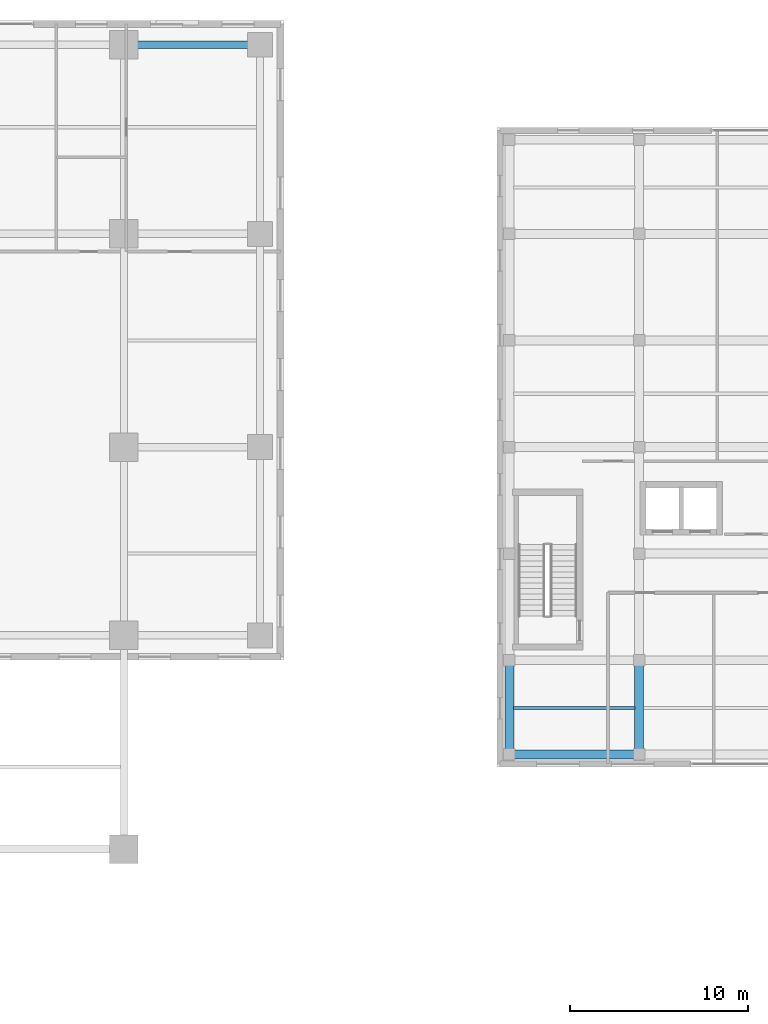
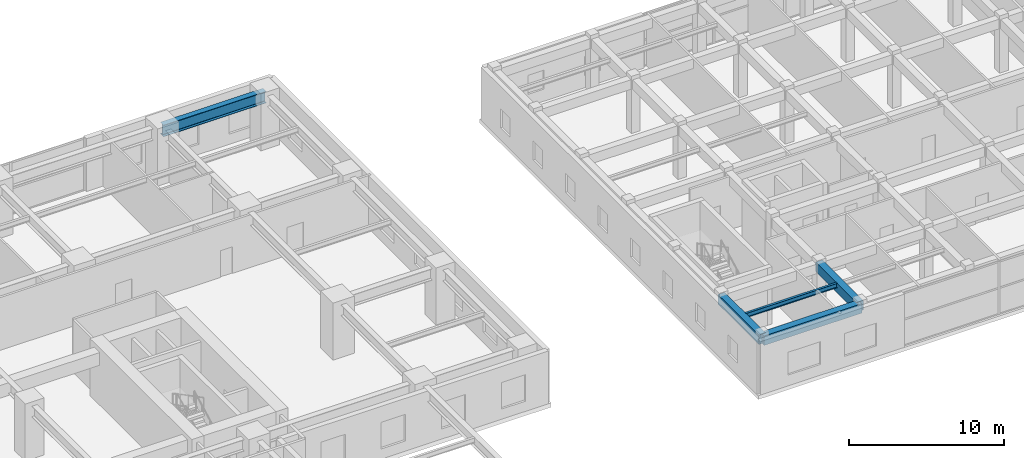
# One storey, part 9 of 26: 5 beams.
"""IFC4 building model written with IfcOpenShell, lengths in metres."""

import ifcopenshell
import ifcopenshell.guid

model = None  # the IFC model being written
_history = None  # IfcOwnerHistory: only IFC2X3 demands one
_inside = {}  # id of a spatial element -> (the spatial element, [elements in it])
_under = {}  # id of a project, library or spatial element -> (it, [spatial elements below it])
_declared = {}  # id of a project -> (the project, [libraries it declares])
_typed = {}  # id of a type object -> (the type object, [elements of that type])
_made_of = {}  # id of a material, layer set ... -> (it, [elements and type objects made of it])


def new_model(schema):
    """Start an empty IFC model of exactly this schema.

    Asked for "IFC4X3", IfcOpenShell would pick the latest addendum, in which some entities
    have other attributes; the version numbers below select the first issue.
    IFC2X3 requires an IfcOwnerHistory on every rooted entity: one is made here for all.
    """
    global model, _history
    if schema == "IFC4X3":
        model = ifcopenshell.file(schema_version=(4, 3, 0, 0))
    else:
        model = ifcopenshell.file(schema=schema)
    _inside.clear()
    _under.clear()
    _declared.clear()
    _typed.clear()
    _made_of.clear()
    _history = None
    if model.schema == "IFC2X3":
        org = make("IfcOrganization", Name="unknown")
        user = make(
            "IfcPersonAndOrganization",
            ThePerson=make("IfcPerson", FamilyName="unknown"),
            TheOrganization=org,
        )
        app = make(
            "IfcApplication",
            ApplicationDeveloper=org,
            Version="unknown",
            ApplicationFullName="unknown",
            ApplicationIdentifier="unknown",
        )
        _history = make(
            "IfcOwnerHistory",
            OwningUser=user,
            OwningApplication=app,
            ChangeAction="ADDED",
            CreationDate=0,
        )
    return model


def make(cls, **values):
    """One entity of the class cls with the attributes given. An attribute that is None is left unset."""
    return model.create_entity(
        cls, **{name: value for name, value in values.items() if value is not None}
    )


def rooted(cls, **values):
    """An entity with a GlobalId (a new one), such as an element, a storey or a relation."""
    return make(cls, GlobalId=ifcopenshell.guid.new(), OwnerHistory=_history, **values)


def si_unit(unit_type, name, prefix=None):
    """IfcSIUnit, for example si_unit("LENGTHUNIT", "METRE", prefix="MILLI")."""
    return make("IfcSIUnit", UnitType=unit_type, Prefix=prefix, Name=name)


def assignment(units):
    """IfcUnitAssignment: the units of a project."""
    return None if units is None else make("IfcUnitAssignment", Units=units)


def point(xyz):
    """IfcCartesianPoint."""
    return None if xyz is None else make("IfcCartesianPoint", Coordinates=xyz)


def direction(xyz):
    """IfcDirection."""
    return None if xyz is None else make("IfcDirection", DirectionRatios=xyz)


def frame(location, z_axis=None, x_axis=None):
    """IfcAxis2Placement3D, a coordinate frame: its origin and axes. An axis left out is left unset."""
    return make(
        "IfcAxis2Placement3D",
        Location=point(location),
        Axis=direction(z_axis),
        RefDirection=direction(x_axis),
    )


def frame_2d(location, x_axis=None):
    """IfcAxis2Placement2D, a coordinate frame in the plane: its origin and x axis."""
    return make(
        "IfcAxis2Placement2D", Location=point(location), RefDirection=direction(x_axis)
    )


def origin():
    """The frame at (0, 0, 0) with its axes left unset."""
    return frame((0.0, 0.0, 0.0))


def origin_2d():
    """The frame at (0, 0) in the plane with its x axis left unset."""
    return frame_2d((0.0, 0.0))


def place(relative_to, where):
    """IfcLocalPlacement: puts the frame where relative to a parent placement (None: the world)."""
    return make(
        "IfcLocalPlacement", PlacementRelTo=relative_to, RelativePlacement=where
    )


def context(
    kind, dimensions, precision=None, world=None, true_north=None, identifier=None
):
    """IfcGeometricRepresentationContext, for example the 3D "Model" context."""
    return make(
        "IfcGeometricRepresentationContext",
        ContextIdentifier=identifier,
        ContextType=kind,
        CoordinateSpaceDimension=dimensions,
        Precision=precision,
        WorldCoordinateSystem=world,
        TrueNorth=true_north,
    )


def subcontext(parent, identifier, kind, view, scale=None):
    """IfcGeometricRepresentationSubContext, for example "Body" below "Model"."""
    return make(
        "IfcGeometricRepresentationSubContext",
        ContextIdentifier=identifier,
        ContextType=kind,
        ParentContext=parent,
        TargetScale=scale,
        TargetView=view,
    )


def project(units=None, contexts=None):
    """IfcProject with its units and contexts."""
    return rooted(
        "IfcProject",
        Name="project",
        RepresentationContexts=contexts,
        UnitsInContext=assignment(units),
    )


def spatial(cls, under=None, at=None, **own):
    """A site, building, storey or space (cls), placed at a placement, below another one or the project."""
    s = rooted(cls, ObjectPlacement=at, **own)
    if under is not None:
        _under.setdefault(under.id(), (under, []))[1].append(s)
    return s


def profile(cls, at=None, kind="AREA", **sizes):
    """A parametric profile (cls). Its sizes go by their IFC names, for example OverallWidth=200.0."""
    return make(cls, ProfileType=kind, Position=at, **sizes)


def rectangle(**sizes):
    """IfcRectangleProfileDef."""
    return profile("IfcRectangleProfileDef", **sizes)


def i_section(**sizes):
    """IfcIShapeProfileDef."""
    return profile("IfcIShapeProfileDef", **sizes)


def extrude(swept, where, along, depth):
    """IfcExtrudedAreaSolid: the profile swept, set in the frame where, extruded along a direction by depth."""
    return make(
        "IfcExtrudedAreaSolid",
        SweptArea=swept,
        Position=where,
        ExtrudedDirection=direction(along),
        Depth=depth,
    )


def shape(context_of_items, identifier, shape_type, items):
    """IfcShapeRepresentation: the items that make up one representation, for example the "Body"."""
    return make(
        "IfcShapeRepresentation",
        ContextOfItems=context_of_items,
        RepresentationIdentifier=identifier,
        RepresentationType=shape_type,
        Items=items,
    )


def source(mapping_origin, context_of_items, identifier, shape_type, items):
    """IfcRepresentationMap: a shape defined once, which mapped items show again and again."""
    return make(
        "IfcRepresentationMap",
        MappingOrigin=mapping_origin,
        MappedRepresentation=shape(context_of_items, identifier, shape_type, items),
    )


def transform(
    local_origin,
    x_axis=None,
    y_axis=None,
    z_axis=None,
    scale=None,
    scale2=None,
    scale3=None,
    uniform=True,
):
    """IfcCartesianTransformationOperator3D, or its non-uniform kind. x_axis, y_axis, z_axis: its Axis1, 2, 3."""
    if uniform:
        return make(
            "IfcCartesianTransformationOperator3D",
            Axis1=direction(x_axis),
            Axis2=direction(y_axis),
            LocalOrigin=point(local_origin),
            Scale=scale,
            Axis3=direction(z_axis),
        )
    return make(
        "IfcCartesianTransformationOperator3DnonUniform",
        Axis1=direction(x_axis),
        Axis2=direction(y_axis),
        LocalOrigin=point(local_origin),
        Scale=scale,
        Axis3=direction(z_axis),
        Scale2=scale2,
        Scale3=scale3,
    )


def mapped(mapping_source, mapping_target):
    """IfcMappedItem: shows the shape of a source again, moved by a transform."""
    return make(
        "IfcMappedItem", MappingSource=mapping_source, MappingTarget=mapping_target
    )


def material(Name=None, Category=None):
    """IfcMaterial."""
    return make("IfcMaterial", Name=Name, Category=Category)


def material_profile(
    of_material, cross_section, Name=None, Category=None, Priority=None
):
    """IfcMaterialProfile: a cross section and its material."""
    return make(
        "IfcMaterialProfile",
        Name=Name,
        Material=of_material,
        Profile=cross_section,
        Priority=Priority,
        Category=Category,
    )


def profile_set(profiles, Name=None, composite=None):
    """IfcMaterialProfileSet."""
    return make(
        "IfcMaterialProfileSet",
        Name=Name,
        MaterialProfiles=profiles,
        CompositeProfile=composite,
    )


def made_of(thing, what):
    """Note that an element or type object is made of a material, layer set ...; save() writes the relation."""
    if what is not None:
        _made_of.setdefault(what.id(), (what, []))[1].append(thing)
    return thing


def type_object(cls, material=None, **own):
    """A type object (cls), such as IfcWallType, which elements share."""
    return made_of(rooted(cls, **own), material)


def element(
    cls,
    number,
    at=None,
    inside=None,
    cuts=None,
    type_object=None,
    material=None,
    context=None,
    identifier="Body",
    shape_type=None,
    held_by="IfcProductDefinitionShape",
    body=None,
    shapes=None,
    **own,
):
    """One element of the class cls, such as IfcWall. Its Tag is "e" and its number.

    at: its placement. inside: the storey or other place that contains it. cuts: it is an
    opening in that element (IfcRelVoidsElement). A single representation is given by context,
    identifier, shape_type and body (its items); several are given by shapes. held_by: the class
    of the entity that holds the representations. save() writes the other relations.
    """
    e = rooted(cls, Tag="e%d" % number, ObjectPlacement=at, **own)
    if body is not None:
        shapes = [shape(context, identifier, shape_type, body)]
    if shapes is not None:
        e.Representation = make(held_by, Representations=shapes)
    if inside is not None:
        _inside.setdefault(inside.id(), (inside, []))[1].append(e)
    if cuts is not None:
        rooted(
            "IfcRelVoidsElement", RelatingBuildingElement=cuts, RelatedOpeningElement=e
        )
    if type_object is not None:
        _typed.setdefault(type_object.id(), (type_object, []))[1].append(e)
    return made_of(e, material)


def aggregate(whole, parts):
    """IfcRelAggregates: a whole, such as a stair, and the parts it consists of."""
    return rooted("IfcRelAggregates", RelatingObject=whole, RelatedObjects=parts)


def save(model, path):
    """Write the relations noted so far, then the file.

    IfcRelAggregates (storeys below a building ...), IfcRelContainedInSpatialStructure (elements
    in a storey), IfcRelDefinesByType, IfcRelAssociatesMaterial and IfcRelDeclares: one each for
    every whole, place, type object, material and project.
    """
    for whole, parts in _under.values():
        aggregate(whole, parts)
    for where, things in _inside.values():
        rooted(
            "IfcRelContainedInSpatialStructure",
            RelatedElements=things,
            RelatingStructure=where,
        )
    for kind, things in _typed.values():
        rooted("IfcRelDefinesByType", RelatedObjects=things, RelatingType=kind)
    for what, things in _made_of.values():
        rooted("IfcRelAssociatesMaterial", RelatedObjects=things, RelatingMaterial=what)
    for by, libraries in _declared.values():
        rooted("IfcRelDeclares", RelatingContext=by, RelatedDefinitions=libraries)
    model.write(path)


model = new_model("IFC4")

# Units and contexts
model_context = context("Model", 3, precision=1e-05, world=origin(), true_north=direction((0.0, 1.0)))
body_context = subcontext(model_context, "Body", "Model", "MODEL_VIEW")
ifc_project = project(units=[si_unit("LENGTHUNIT", "METRE"), si_unit("AREAUNIT", "SQUARE_METRE"), si_unit("VOLUMEUNIT", "CUBIC_METRE"), si_unit("PLANEANGLEUNIT", "RADIAN"), si_unit("MASSUNIT", "GRAM", prefix="KILO")], contexts=[model_context])

# Site, building, storey
site_placement = place(None, origin())
site = spatial("IfcSite", under=ifc_project, at=site_placement, CompositionType="ELEMENT")
building_placement = place(site_placement, origin())
building = spatial("IfcBuilding", under=site, at=building_placement, Name="Khoralis Quay Care Tower", CompositionType="ELEMENT")
storey_placement = place(building_placement, frame((0.0, 0.0, 4.5)))
storey = spatial("IfcBuildingStorey", under=building, at=storey_placement, Name="L01", CompositionType="ELEMENT", Elevation=4.5)

# Beams
ifc_material_1 = material(Name="Concrete C40/50", Category="concrete")
ifc_material_profile_1 = material_profile(ifc_material_1, rectangle(XDim=0.5, YDim=0.75, at=origin_2d()), Name="Concrete C40/50")
ifc_profile_set_1 = profile_set([ifc_material_profile_1], Name="Concrete C40/50")
beam_type_1 = type_object("IfcBeamType", Name="BM-RC500X750", PredefinedType="BEAM", material=ifc_profile_set_1)
shared_shape_1 = source(origin(), body_context, "Body", "SweptSolid", [
    extrude(rectangle(XDim=0.5, YDim=0.75, at=origin_2d()), origin(), (0.0, 0.0, 1.0), 7.300048828125),
])
beam_1_placement = place(storey_placement, frame((68.699951171875, 6.699951171875, 3.824951171875), z_axis=(1.0, 0.0, 0.0), x_axis=(0.0, 1.0, 0.0)))
element("IfcBeam", 1, at=beam_1_placement, inside=storey, type_object=beam_type_1, Name="BM-SCX-L01-01", PredefinedType="BEAM", context=body_context, shape_type="MappedRepresentation", body=[
    mapped(shared_shape_1, transform((0.0, 0.0, 0.0), scale=1.0)),
])
shared_shape_2 = source(origin(), body_context, "Body", "SweptSolid", [
    extrude(rectangle(XDim=0.5, YDim=0.75, at=origin_2d()), origin(), (0.0, 0.0, 1.0), 5.300048828125),
])
for number, where, z_axis, x_axis, name in (
    (2, (68.699951171875, 6.699951171875, 3.824951171875), (0.0, 1.0, 0.0), (-1.0, 0.0, 0.0), "BM-SCY-L01-33"),
    (3, (76.0, 6.699951171875, 3.824951171875), (0.0, 1.0, 0.0), (-1.0, 0.0, 0.0), "BM-SCY-L01-39"),
):
    element("IfcBeam", number, at=place(storey_placement, frame(where, z_axis=z_axis, x_axis=x_axis)), inside=storey, type_object=beam_type_1, Name=name, PredefinedType="BEAM", context=body_context, shape_type="MappedRepresentation", body=[
        mapped(shared_shape_2, transform((0.0, 0.0, 0.0), scale=1.0)),
    ])
ifc_material_2 = material(Name="Steel S355", Category="steel")
ifc_material_profile_2 = material_profile(ifc_material_2, i_section(OverallWidth=0.1708984375, OverallDepth=0.35498046875, WebThickness=0.007080078125, FlangeThickness=0.01171875, FilletRadius=0.012939453125, at=origin_2d()), Name="Steel S355")
ifc_profile_set_2 = profile_set([ifc_material_profile_2], Name="Steel S355")
beam_type_2 = type_object("IfcBeamType", Name="BM-W360X51", PredefinedType="JOIST", material=ifc_profile_set_2)
shared_shape_3 = source(origin(), body_context, "Body", "SweptSolid", [
    extrude(i_section(OverallWidth=0.1708984375, OverallDepth=0.35498046875, WebThickness=0.007080078125, FlangeThickness=0.01171875, FilletRadius=0.012939453125, at=origin_2d()), origin(), (0.0, 0.0, 1.0), 6.823974609375),
])
beam_2_placement = place(storey_placement, frame((68.93798828125, 9.300048828125, 4.0224609375), z_axis=(1.0, 0.0, 0.0), x_axis=(0.0, 1.0, 0.0)))
element("IfcBeam", 4, at=beam_2_placement, inside=storey, type_object=beam_type_2, Name="BM-SCJ-L01-68", PredefinedType="JOIST", context=body_context, shape_type="MappedRepresentation", body=[
    mapped(shared_shape_3, transform((0.0, 0.0, 0.0), scale=1.0)),
])
ifc_material_profile_3 = material_profile(ifc_material_2, i_section(OverallWidth=0.41796875, OverallDepth=0.912109375, WebThickness=0.019287109375, FlangeThickness=0.031982421875, FilletRadius=0.02392578125, at=origin_2d()), Name="Steel S355")
ifc_profile_set_3 = profile_set([ifc_material_profile_3], Name="Steel S355")
beam_type_3 = type_object("IfcBeamType", Name="BM-W920X342", PredefinedType="BEAM", material=ifc_profile_set_3)
shared_shape_4 = source(origin(), body_context, "Body", "SweptSolid", [
    extrude(i_section(OverallWidth=0.41796875, OverallDepth=0.912109375, WebThickness=0.019287109375, FlangeThickness=0.031982421875, FilletRadius=0.02392578125, at=origin_2d()), origin(), (0.0, 0.0, 1.0), 7.64990234375),
])
beam_3_placement = place(storey_placement, frame((47.0, 46.64990234375, 3.7041015625), z_axis=(1.0, 0.0, 0.0), x_axis=(0.0, 1.0, 0.0)))
element("IfcBeam", 5, at=beam_3_placement, inside=storey, type_object=beam_type_3, Name="BM-PODX-L01-23", PredefinedType="BEAM", context=body_context, shape_type="MappedRepresentation", body=[
    mapped(shared_shape_4, transform((0.0, 0.0, 0.0), scale=1.0)),
])

save(model, "model.ifc")
